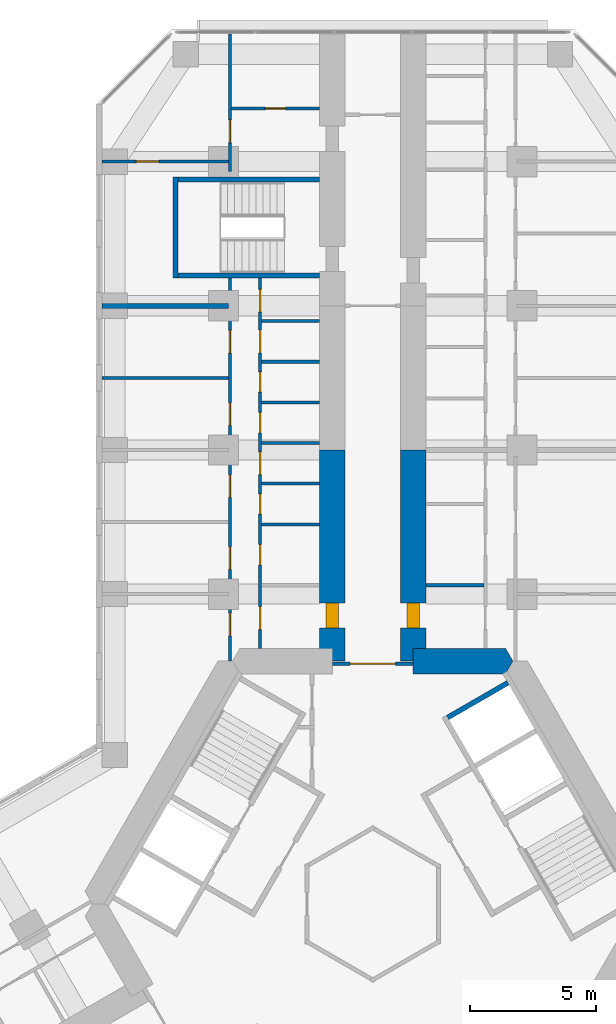
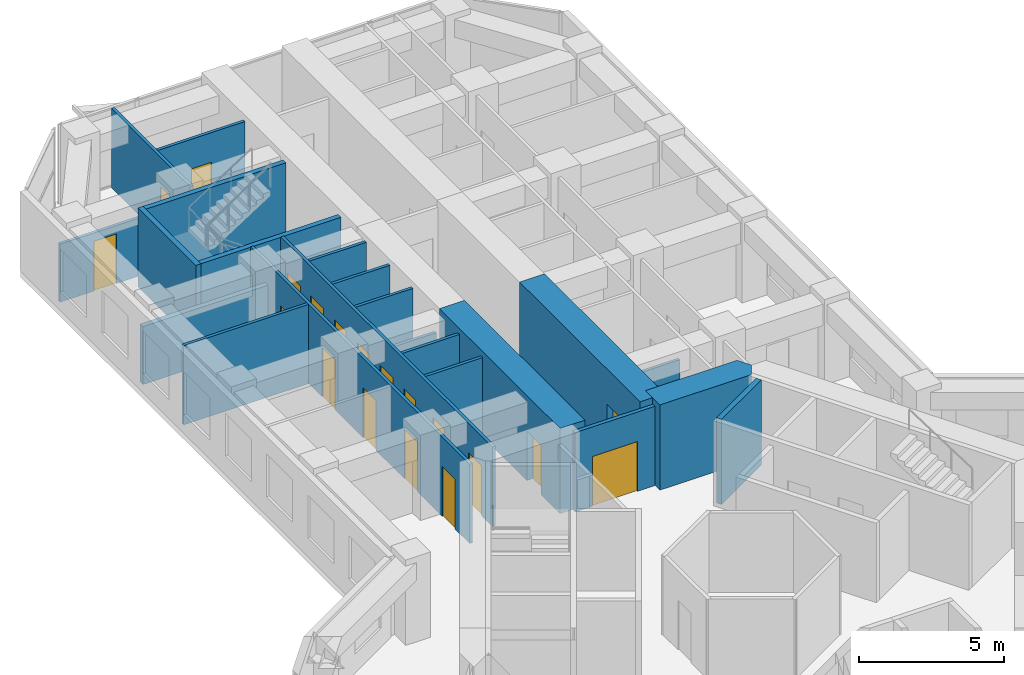
# One storey, part 17 of 21: 22 walls, 19 doors, 19 openings.
"""IFC4 building model written with IfcOpenShell, lengths in metres."""

from ifc_helpers import new_model, si_unit, direction, frame, frame_2d, origin, place, context, subcontext, project, spatial, polyline, rectangle, outline, extrude, material, layer, layer_set, type_object, element, fill, save


model = new_model("IFC4")

# Units and contexts
model_context = context("Model", 3, precision=1e-05, world=origin(), true_north=direction((0.0, 1.0)))
body_context = subcontext(model_context, "Body", "Model", "MODEL_VIEW")
ifc_project = project(units=[si_unit("LENGTHUNIT", "METRE"), si_unit("AREAUNIT", "SQUARE_METRE"), si_unit("VOLUMEUNIT", "CUBIC_METRE"), si_unit("PLANEANGLEUNIT", "RADIAN"), si_unit("MASSUNIT", "GRAM", prefix="KILO")], contexts=[model_context])

# Site, building, storey
site_placement = place(None, origin())
site = spatial("IfcSite", under=ifc_project, at=site_placement, CompositionType="ELEMENT")
building_placement = place(site_placement, origin())
building = spatial("IfcBuilding", under=site, at=building_placement, Name="Kosmar Iwan School Tower", CompositionType="ELEMENT")
storey_placement = place(building_placement, frame((0.0, 0.0, 46.60009765625)))
storey = spatial("IfcBuildingStorey", under=building, at=storey_placement, Name="L10", CompositionType="ELEMENT", Elevation=46.60009765625)

# Wall
ifc_material_1 = material(Name="Concrete C50/60", Category="concrete")
ifc_layer_1 = layer(ifc_material_1, 1.0)
ifc_layer_set_1 = layer_set([ifc_layer_1], Name="Core wall 1000")
wall_type_1 = type_object("IfcWallType", Name="Core wall 1000", PredefinedType="SHEAR", material=ifc_layer_set_1)
wall_1_placement = place(storey_placement, origin())
element("IfcWall", 1, at=wall_1_placement, inside=storey, type_object=wall_type_1, Name="Core wall F090a", PredefinedType="SHEAR", context=body_context, shape_type="SweptSolid", body=[
    extrude(outline(polyline([(1.60009765625, 9.10009765625), (5.25390625, 9.10009765625), (5.54248046875, 9.60009765625), (5.25390625, 10.10009765625), (1.60009765625, 10.10009765625), (1.60009765625, 9.10009765625)])), origin(), (0.0, 0.0, 1.0), 3.599853515625),
])

# Wall, opening, door
ifc_material_2 = material(Name="Concrete C50/60", Category="concrete")
ifc_layer_2 = layer(ifc_material_2, 1.0)
ifc_layer_set_2 = layer_set([ifc_layer_2], Name="Corridor buttress wall 1000")
wall_type_2 = type_object("IfcWallType", Name="Corridor buttress wall 1000", PredefinedType="SHEAR", material=ifc_layer_set_2)
wall_2_placement = place(storey_placement, frame((-1.60009765625, 9.60009765625, 0.0), z_axis=(0.0, 0.0, 1.0), x_axis=(0.0, 1.0, 0.0)))
wall_2 = element("IfcWall", 2, at=wall_2_placement, inside=storey, type_object=wall_type_2, Name="Corridor wall AL", PredefinedType="SHEAR", context=body_context, shape_type="SweptSolid", body=[
    extrude(rectangle(XDim=8.349853515625, YDim=1.0, at=frame_2d((4.1748046875, 0.0))), origin(), (0.0, 0.0, 1.0), 3.599853515625),
])
opening_1_placement = place(wall_2_placement, frame((1.300048828125, 0.0, 0.0)))
opening_1 = element("IfcOpeningElement", 3, at=opening_1_placement, cuts=wall_2, Name="Opening D1", PredefinedType="OPENING", context=body_context, shape_type="SweptSolid", body=[
    extrude(rectangle(XDim=1.0, YDim=2.10009765625, at=frame_2d((0.5, 1.050048828125))), frame((0.0, 0.511962890625, 0.0), z_axis=(0.0, -1.0, 0.0), x_axis=(1.0, 0.0, 0.0)), (0.0, 0.0, 1.0), 1.02392578125),
])
ifc_material_3 = material(Name="Timber fire door in steel frame", Category="steel")
door_type_1 = type_object("IfcDoorType", Name="Flat entrance door 1000x2100", OperationType="SINGLE_SWING_LEFT", PredefinedType="DOOR", material=ifc_material_3)
door_1_placement = place(opening_1_placement, origin())
door_1 = element("IfcDoor", 4, at=door_1_placement, inside=storey, type_object=door_type_1, Name="Flat L10-AL1 entrance door", OperationType="SINGLE_SWING_RIGHT", OverallHeight=2.10009765625, OverallWidth=1.0, PredefinedType="DOOR", context=body_context, shape_type="SweptSolid", body=[
    extrude(rectangle(XDim=1.0, YDim=2.10009765625, at=frame_2d((0.5, 1.050048828125))), frame((0.0, 0.25, 0.0), z_axis=(0.0, -1.0, 0.0), x_axis=(1.0, 0.0, 0.0)), (0.0, 0.0, 1.0), 0.5),
])
fill(opening_1, door_1)

wall_3_placement = place(storey_placement, frame((1.60009765625, 9.60009765625, 0.0), z_axis=(0.0, 0.0, 1.0), x_axis=(0.0, 1.0, 0.0)))
wall_3 = element("IfcWall", 5, at=wall_3_placement, inside=storey, type_object=wall_type_2, Name="Corridor wall AR", PredefinedType="SHEAR", context=body_context, shape_type="SweptSolid", body=[
    extrude(rectangle(XDim=8.349853515625, YDim=1.0, at=frame_2d((4.1748046875, 0.0))), origin(), (0.0, 0.0, 1.0), 3.599853515625),
])
opening_2_placement = place(wall_3_placement, frame((1.300048828125, 0.0, 0.0)))
opening_2 = element("IfcOpeningElement", 6, at=opening_2_placement, cuts=wall_3, Name="Opening D1", PredefinedType="OPENING", context=body_context, shape_type="SweptSolid", body=[
    extrude(rectangle(XDim=1.0, YDim=2.10009765625, at=frame_2d((0.5, 1.050048828125))), frame((0.0, 0.511962890625, 0.0), z_axis=(0.0, -1.0, 0.0), x_axis=(1.0, 0.0, 0.0)), (0.0, 0.0, 1.0), 1.02392578125),
])
door_2_placement = place(opening_2_placement, origin())
door_2 = element("IfcDoor", 7, at=door_2_placement, inside=storey, type_object=door_type_1, Name="Flat L10-AR1 entrance door", OperationType="SINGLE_SWING_LEFT", OverallHeight=2.10009765625, OverallWidth=1.0, PredefinedType="DOOR", context=body_context, shape_type="SweptSolid", body=[
    extrude(rectangle(XDim=1.0, YDim=2.10009765625, at=frame_2d((0.5, 1.050048828125))), frame((0.0, 0.25, 0.0), z_axis=(0.0, -1.0, 0.0), x_axis=(1.0, 0.0, 0.0)), (0.0, 0.0, 1.0), 0.5),
])
fill(opening_2, door_2)

ifc_material_4 = material(Name="Steel framed glazed screen", Category="steel")
ifc_layer_3 = layer(ifc_material_4, 0.14990234375)
ifc_layer_set_3 = layer_set([ifc_layer_3], Name="Corridor screen wall 150")
wall_type_3 = type_object("IfcWallType", Name="Corridor screen wall 150", PredefinedType="PARTITIONING", material=ifc_layer_set_3)
wall_4_placement = place(storey_placement, frame((1.60009765625, 9.5, 0.0), z_axis=(0.0, 0.0, 1.0), x_axis=(-1.0, 0.0, 0.0)))
wall_4 = element("IfcWall", 8, at=wall_4_placement, inside=storey, type_object=wall_type_3, Name="Corridor screen A L10", PredefinedType="PARTITIONING", context=body_context, shape_type="SweptSolid", body=[
    extrude(rectangle(XDim=3.2001953125, YDim=0.14990234375, at=frame_2d((1.60009765625, 0.0))), origin(), (0.0, 0.0, 1.0), 3.349853515625),
])
opening_3_placement = place(wall_4_placement, frame((0.699951171875, 0.0, 0.0)))
opening_3 = element("IfcOpeningElement", 9, at=opening_3_placement, cuts=wall_4, Name="Opening D9", PredefinedType="OPENING", context=body_context, shape_type="SweptSolid", body=[
    extrude(rectangle(XDim=1.800048828125, YDim=2.10009765625, at=frame_2d((0.89990234375, 1.050048828125))), frame((0.0, 0.0869140625, 0.0), z_axis=(0.0, -1.0, 0.0), x_axis=(1.0, 0.0, 0.0)), (0.0, 0.0, 1.0), 0.173828125),
])
ifc_material_5 = material(Name="Steel framed glazed smoke door", Category="steel")
door_type_2 = type_object("IfcDoorType", Name="Corridor smoke door pair 1800x2100", OperationType="DOUBLE_DOOR_DOUBLE_SWING", PredefinedType="DOOR", material=ifc_material_5)
door_3_placement = place(opening_3_placement, origin())
door_3 = element("IfcDoor", 10, at=door_3_placement, inside=storey, type_object=door_type_2, Name="Corridor doors A L10", OperationType="DOUBLE_DOOR_DOUBLE_SWING", OverallHeight=2.10009765625, OverallWidth=1.800048828125, PredefinedType="DOOR", context=body_context, shape_type="SweptSolid", body=[
    extrude(rectangle(XDim=1.800048828125, YDim=2.10009765625, at=frame_2d((0.89990234375, 1.050048828125))), frame((0.0, 0.02490234375, 0.0), z_axis=(0.0, -1.0, 0.0), x_axis=(1.0, 0.0, 0.0)), (0.0, 0.0, 1.0), 0.050048828125),
])
fill(opening_3, door_3)

# Wall, openings, doors
ifc_material_6 = material(Name="Gypsum board on steel studs", Category="steel")
ifc_layer_4 = layer(ifc_material_6, 0.1201171875)
ifc_layer_set_4 = layer_set([ifc_layer_4], Name="Dwelling partition 120")
wall_type_4 = type_object("IfcWallType", Name="Dwelling partition 120", PredefinedType="PARTITIONING", material=ifc_layer_set_4)
wall_5_placement = place(storey_placement, frame((-4.449951171875, 10.10009765625, 0.0), z_axis=(0.0, 0.0, 1.0), x_axis=(0.0, 1.0, 0.0)))
wall_5 = element("IfcWall", 11, at=wall_5_placement, inside=storey, type_object=wall_type_4, Name="Partition L10-AL1-W1", PredefinedType="PARTITIONING", context=body_context, shape_type="SweptSolid", body=[
    extrude(rectangle(XDim=14.64990234375, YDim=0.1201171875, at=frame_2d((7.324951171875, 0.0))), origin(), (0.0, 0.0, 1.0), 3.349853515625),
])
opening_4_placement = place(wall_5_placement, frame((0.75, 0.0, 0.0)))
opening_4 = element("IfcOpeningElement", 12, at=opening_4_placement, cuts=wall_5, Name="Opening D2", PredefinedType="OPENING", context=body_context, shape_type="SweptSolid", body=[
    extrude(rectangle(XDim=0.89990234375, YDim=2.10009765625, at=frame_2d((0.449951171875, 1.050048828125))), frame((0.0, 0.072021484375, 0.0), z_axis=(0.0, -1.0, 0.0), x_axis=(1.0, 0.0, 0.0)), (0.0, 0.0, 1.0), 0.14404296875),
])
opening_5_placement = place(wall_5_placement, frame((3.304931640625, 0.0, 0.0)))
opening_5 = element("IfcOpeningElement", 13, at=opening_5_placement, cuts=wall_5, Name="Opening D3", PredefinedType="OPENING", context=body_context, shape_type="SweptSolid", body=[
    extrude(rectangle(XDim=0.800048828125, YDim=2.10009765625, at=frame_2d((0.39990234375, 1.050048828125))), frame((0.0, 0.072021484375, 0.0), z_axis=(0.0, -1.0, 0.0), x_axis=(1.0, 0.0, 0.0)), (0.0, 0.0, 1.0), 0.14404296875),
])
opening_6_placement = place(wall_5_placement, frame((5.313232421875, 0.0, 0.0)))
opening_6 = element("IfcOpeningElement", 14, at=opening_6_placement, cuts=wall_5, Name="Opening D3", PredefinedType="OPENING", context=body_context, shape_type="SweptSolid", body=[
    extrude(rectangle(XDim=0.800048828125, YDim=2.10009765625, at=frame_2d((0.39990234375, 1.050048828125))), frame((0.0, 0.072021484375, 0.0), z_axis=(0.0, -1.0, 0.0), x_axis=(1.0, 0.0, 0.0)), (0.0, 0.0, 1.0), 0.14404296875),
])
opening_7_placement = place(wall_5_placement, frame((6.8701171875, 0.0, 0.0)))
opening_7 = element("IfcOpeningElement", 15, at=opening_7_placement, cuts=wall_5, Name="Opening D2", PredefinedType="OPENING", context=body_context, shape_type="SweptSolid", body=[
    extrude(rectangle(XDim=0.89990234375, YDim=2.10009765625, at=frame_2d((0.449951171875, 1.050048828125))), frame((0.0, 0.072021484375, 0.0), z_axis=(0.0, -1.0, 0.0), x_axis=(1.0, 0.0, 0.0)), (0.0, 0.0, 1.0), 0.14404296875),
])
opening_8_placement = place(wall_5_placement, frame((8.526611328125, 0.0, 0.0)))
opening_8 = element("IfcOpeningElement", 16, at=opening_8_placement, cuts=wall_5, Name="Opening D3", PredefinedType="OPENING", context=body_context, shape_type="SweptSolid", body=[
    extrude(rectangle(XDim=0.800048828125, YDim=2.10009765625, at=frame_2d((0.39990234375, 1.050048828125))), frame((0.0, 0.072021484375, 0.0), z_axis=(0.0, -1.0, 0.0), x_axis=(1.0, 0.0, 0.0)), (0.0, 0.0, 1.0), 0.14404296875),
])
opening_9_placement = place(wall_5_placement, frame((10.13330078125, 0.0, 0.0)))
opening_9 = element("IfcOpeningElement", 17, at=opening_9_placement, cuts=wall_5, Name="Opening D3", PredefinedType="OPENING", context=body_context, shape_type="SweptSolid", body=[
    extrude(rectangle(XDim=0.800048828125, YDim=2.10009765625, at=frame_2d((0.39990234375, 1.050048828125))), frame((0.0, 0.072021484375, 0.0), z_axis=(0.0, -1.0, 0.0), x_axis=(1.0, 0.0, 0.0)), (0.0, 0.0, 1.0), 0.14404296875),
])
opening_10_placement = place(wall_5_placement, frame((11.68994140625, 0.0, 0.0)))
opening_10 = element("IfcOpeningElement", 18, at=opening_10_placement, cuts=wall_5, Name="Opening D2", PredefinedType="OPENING", context=body_context, shape_type="SweptSolid", body=[
    extrude(rectangle(XDim=0.89990234375, YDim=2.10009765625, at=frame_2d((0.449951171875, 1.050048828125))), frame((0.0, 0.072021484375, 0.0), z_axis=(0.0, -1.0, 0.0), x_axis=(1.0, 0.0, 0.0)), (0.0, 0.0, 1.0), 0.14404296875),
])
opening_11_placement = place(wall_5_placement, frame((13.296630859375, 0.0, 0.0)))
opening_11 = element("IfcOpeningElement", 19, at=opening_11_placement, cuts=wall_5, Name="Opening D2", PredefinedType="OPENING", context=body_context, shape_type="SweptSolid", body=[
    extrude(rectangle(XDim=0.89990234375, YDim=2.10009765625, at=frame_2d((0.449951171875, 1.050048828125))), frame((0.0, 0.072021484375, 0.0), z_axis=(0.0, -1.0, 0.0), x_axis=(1.0, 0.0, 0.0)), (0.0, 0.0, 1.0), 0.14404296875),
])
ifc_material_7 = material(Name="Timber door in timber frame", Category="wood")
door_type_3 = type_object("IfcDoorType", Name="Internal door 900x2100", OperationType="SINGLE_SWING_LEFT", PredefinedType="DOOR", material=ifc_material_7)
door_4_placement = place(opening_4_placement, origin())
door_4 = element("IfcDoor", 20, at=door_4_placement, inside=storey, type_object=door_type_3, Name="Entrance hall door L10-AL1-S1", OperationType="SINGLE_SWING_LEFT", OverallHeight=2.10009765625, OverallWidth=0.89990234375, PredefinedType="DOOR", context=body_context, shape_type="SweptSolid", body=[
    extrude(rectangle(XDim=0.89990234375, YDim=2.10009765625, at=frame_2d((0.449951171875, 1.050048828125))), frame((0.0, 0.02490234375, 0.0), z_axis=(0.0, -1.0, 0.0), x_axis=(1.0, 0.0, 0.0)), (0.0, 0.0, 1.0), 0.050048828125),
])
fill(opening_4, door_4)
door_5_placement = place(opening_7_placement, origin())
door_5 = element("IfcDoor", 21, at=door_5_placement, inside=storey, type_object=door_type_3, Name="Pantry door L10-AL1-S4", OperationType="SINGLE_SWING_LEFT", OverallHeight=2.10009765625, OverallWidth=0.89990234375, PredefinedType="DOOR", context=body_context, shape_type="SweptSolid", body=[
    extrude(rectangle(XDim=0.89990234375, YDim=2.10009765625, at=frame_2d((0.449951171875, 1.050048828125))), frame((0.0, 0.02490234375, 0.0), z_axis=(0.0, -1.0, 0.0), x_axis=(1.0, 0.0, 0.0)), (0.0, 0.0, 1.0), 0.050048828125),
])
fill(opening_7, door_5)
door_6_placement = place(opening_10_placement, origin())
door_6 = element("IfcDoor", 22, at=door_6_placement, inside=storey, type_object=door_type_3, Name="Utility room door L10-AL1-S7", OperationType="SINGLE_SWING_RIGHT", OverallHeight=2.10009765625, OverallWidth=0.89990234375, PredefinedType="DOOR", context=body_context, shape_type="SweptSolid", body=[
    extrude(rectangle(XDim=0.89990234375, YDim=2.10009765625, at=frame_2d((0.449951171875, 1.050048828125))), frame((0.0, 0.02490234375, 0.0), z_axis=(0.0, -1.0, 0.0), x_axis=(1.0, 0.0, 0.0)), (0.0, 0.0, 1.0), 0.050048828125),
])
fill(opening_10, door_6)
door_7_placement = place(opening_11_placement, frame((0.89990234375, 0.0, 0.0), z_axis=(0.0, 0.0, 1.0), x_axis=(-1.0, 0.0, 0.0)))
door_7 = element("IfcDoor", 23, at=door_7_placement, inside=storey, type_object=door_type_3, Name="Dressing room door L10-AL1-S8", OperationType="SINGLE_SWING_LEFT", OverallHeight=2.10009765625, OverallWidth=0.89990234375, PredefinedType="DOOR", context=body_context, shape_type="SweptSolid", body=[
    extrude(rectangle(XDim=0.89990234375, YDim=2.10009765625, at=frame_2d((0.449951171875, 1.050048828125))), frame((0.0, 0.02490234375, 0.0), z_axis=(0.0, -1.0, 0.0), x_axis=(1.0, 0.0, 0.0)), (0.0, 0.0, 1.0), 0.050048828125),
])
fill(opening_11, door_7)
ifc_material_8 = material(Name="Timber door in timber frame", Category="wood")
door_type_4 = type_object("IfcDoorType", Name="Sanitary room door 800x2100", OperationType="SINGLE_SWING_LEFT", PredefinedType="DOOR", material=ifc_material_8)
door_8_placement = place(opening_5_placement, origin())
door_8 = element("IfcDoor", 24, at=door_8_placement, inside=storey, type_object=door_type_4, Name="Bathroom door L10-AL1-S2", OperationType="SINGLE_SWING_LEFT", OverallHeight=2.10009765625, OverallWidth=0.800048828125, PredefinedType="DOOR", context=body_context, shape_type="SweptSolid", body=[
    extrude(rectangle(XDim=0.800048828125, YDim=2.10009765625, at=frame_2d((0.39990234375, 1.050048828125))), frame((0.0, 0.02490234375, 0.0), z_axis=(0.0, -1.0, 0.0), x_axis=(1.0, 0.0, 0.0)), (0.0, 0.0, 1.0), 0.050048828125),
])
fill(opening_5, door_8)
door_9_placement = place(opening_6_placement, origin())
door_9 = element("IfcDoor", 25, at=door_9_placement, inside=storey, type_object=door_type_4, Name="Shower room door L10-AL1-S3", OperationType="SINGLE_SWING_LEFT", OverallHeight=2.10009765625, OverallWidth=0.800048828125, PredefinedType="DOOR", context=body_context, shape_type="SweptSolid", body=[
    extrude(rectangle(XDim=0.800048828125, YDim=2.10009765625, at=frame_2d((0.39990234375, 1.050048828125))), frame((0.0, 0.02490234375, 0.0), z_axis=(0.0, -1.0, 0.0), x_axis=(1.0, 0.0, 0.0)), (0.0, 0.0, 1.0), 0.050048828125),
])
fill(opening_6, door_9)
door_10_placement = place(opening_8_placement, origin())
door_10 = element("IfcDoor", 26, at=door_10_placement, inside=storey, type_object=door_type_4, Name="WC door L10-AL1-S5", OperationType="SINGLE_SWING_RIGHT", OverallHeight=2.10009765625, OverallWidth=0.800048828125, PredefinedType="DOOR", context=body_context, shape_type="SweptSolid", body=[
    extrude(rectangle(XDim=0.800048828125, YDim=2.10009765625, at=frame_2d((0.39990234375, 1.050048828125))), frame((0.0, 0.02490234375, 0.0), z_axis=(0.0, -1.0, 0.0), x_axis=(1.0, 0.0, 0.0)), (0.0, 0.0, 1.0), 0.050048828125),
])
fill(opening_8, door_10)
door_11_placement = place(opening_9_placement, origin())
door_11 = element("IfcDoor", 27, at=door_11_placement, inside=storey, type_object=door_type_4, Name="Store door L10-AL1-S6", OperationType="SINGLE_SWING_RIGHT", OverallHeight=2.10009765625, OverallWidth=0.800048828125, PredefinedType="DOOR", context=body_context, shape_type="SweptSolid", body=[
    extrude(rectangle(XDim=0.800048828125, YDim=2.10009765625, at=frame_2d((0.39990234375, 1.050048828125))), frame((0.0, 0.02490234375, 0.0), z_axis=(0.0, -1.0, 0.0), x_axis=(1.0, 0.0, 0.0)), (0.0, 0.0, 1.0), 0.050048828125),
])
fill(opening_9, door_11)

wall_6_placement = place(storey_placement, frame((-5.64990234375, 9.60009765625, 0.0), z_axis=(0.0, 0.0, 1.0), x_axis=(0.0, 1.0, 0.0)))
wall_6 = element("IfcWall", 28, at=wall_6_placement, inside=storey, type_object=wall_type_4, Name="Partition L10-AL1-W2", PredefinedType="PARTITIONING", context=body_context, shape_type="SweptSolid", body=[
    extrude(rectangle(XDim=15.14990234375, YDim=0.1201171875, at=frame_2d((7.574951171875, 0.0))), origin(), (0.0, 0.0, 1.0), 3.349853515625),
])
opening_12_placement = place(wall_6_placement, frame((1.0, 0.0, 0.0)))
opening_12 = element("IfcOpeningElement", 29, at=opening_12_placement, cuts=wall_6, Name="Opening D2", PredefinedType="OPENING", context=body_context, shape_type="SweptSolid", body=[
    extrude(rectangle(XDim=0.89990234375, YDim=2.10009765625, at=frame_2d((0.449951171875, 1.050048828125))), frame((0.0, 0.072021484375, 0.0), z_axis=(0.0, -1.0, 0.0), x_axis=(1.0, 0.0, 0.0)), (0.0, 0.0, 1.0), 0.14404296875),
])
opening_13_placement = place(wall_6_placement, frame((3.625, 0.0, 0.0)))
opening_13 = element("IfcOpeningElement", 30, at=opening_13_placement, cuts=wall_6, Name="Opening D2", PredefinedType="OPENING", context=body_context, shape_type="SweptSolid", body=[
    extrude(rectangle(XDim=0.89990234375, YDim=2.10009765625, at=frame_2d((0.449951171875, 1.050048828125))), frame((0.0, 0.072021484375, 0.0), z_axis=(0.0, -1.0, 0.0), x_axis=(1.0, 0.0, 0.0)), (0.0, 0.0, 1.0), 0.14404296875),
])
opening_14_placement = place(wall_6_placement, frame((6.47509765625, 0.0, 0.0)))
opening_14 = element("IfcOpeningElement", 31, at=opening_14_placement, cuts=wall_6, Name="Opening D2", PredefinedType="OPENING", context=body_context, shape_type="SweptSolid", body=[
    extrude(rectangle(XDim=0.89990234375, YDim=2.10009765625, at=frame_2d((0.449951171875, 1.050048828125))), frame((0.0, 0.072021484375, 0.0), z_axis=(0.0, -1.0, 0.0), x_axis=(1.0, 0.0, 0.0)), (0.0, 0.0, 1.0), 0.14404296875),
])
opening_15_placement = place(wall_6_placement, frame((9.324951171875, 0.0, 0.0)))
opening_15 = element("IfcOpeningElement", 32, at=opening_15_placement, cuts=wall_6, Name="Opening D2", PredefinedType="OPENING", context=body_context, shape_type="SweptSolid", body=[
    extrude(rectangle(XDim=0.89990234375, YDim=2.10009765625, at=frame_2d((0.449951171875, 1.050048828125))), frame((0.0, 0.072021484375, 0.0), z_axis=(0.0, -1.0, 0.0), x_axis=(1.0, 0.0, 0.0)), (0.0, 0.0, 1.0), 0.14404296875),
])
opening_16_placement = place(wall_6_placement, frame((12.175048828125, 0.0, 0.0)))
opening_16 = element("IfcOpeningElement", 33, at=opening_16_placement, cuts=wall_6, Name="Opening D2", PredefinedType="OPENING", context=body_context, shape_type="SweptSolid", body=[
    extrude(rectangle(XDim=0.89990234375, YDim=2.10009765625, at=frame_2d((0.449951171875, 1.050048828125))), frame((0.0, 0.072021484375, 0.0), z_axis=(0.0, -1.0, 0.0), x_axis=(1.0, 0.0, 0.0)), (0.0, 0.0, 1.0), 0.14404296875),
])
door_12_placement = place(opening_12_placement, origin())
door_12 = element("IfcDoor", 34, at=door_12_placement, inside=storey, type_object=door_type_3, Name="Living room and kitchen door L10-AL1-F1", OperationType="SINGLE_SWING_LEFT", OverallHeight=2.10009765625, OverallWidth=0.89990234375, PredefinedType="DOOR", context=body_context, shape_type="SweptSolid", body=[
    extrude(rectangle(XDim=0.89990234375, YDim=2.10009765625, at=frame_2d((0.449951171875, 1.050048828125))), frame((0.0, 0.02490234375, 0.0), z_axis=(0.0, -1.0, 0.0), x_axis=(1.0, 0.0, 0.0)), (0.0, 0.0, 1.0), 0.050048828125),
])
fill(opening_12, door_12)
door_13_placement = place(opening_13_placement, origin())
door_13 = element("IfcDoor", 35, at=door_13_placement, inside=storey, type_object=door_type_3, Name="Study door L10-AL1-F2", OperationType="SINGLE_SWING_RIGHT", OverallHeight=2.10009765625, OverallWidth=0.89990234375, PredefinedType="DOOR", context=body_context, shape_type="SweptSolid", body=[
    extrude(rectangle(XDim=0.89990234375, YDim=2.10009765625, at=frame_2d((0.449951171875, 1.050048828125))), frame((0.0, 0.02490234375, 0.0), z_axis=(0.0, -1.0, 0.0), x_axis=(1.0, 0.0, 0.0)), (0.0, 0.0, 1.0), 0.050048828125),
])
fill(opening_13, door_13)
door_14_placement = place(opening_14_placement, origin())
door_14 = element("IfcDoor", 36, at=door_14_placement, inside=storey, type_object=door_type_3, Name="Bedroom 2 door L10-AL1-F3", OperationType="SINGLE_SWING_LEFT", OverallHeight=2.10009765625, OverallWidth=0.89990234375, PredefinedType="DOOR", context=body_context, shape_type="SweptSolid", body=[
    extrude(rectangle(XDim=0.89990234375, YDim=2.10009765625, at=frame_2d((0.449951171875, 1.050048828125))), frame((0.0, 0.02490234375, 0.0), z_axis=(0.0, -1.0, 0.0), x_axis=(1.0, 0.0, 0.0)), (0.0, 0.0, 1.0), 0.050048828125),
])
fill(opening_14, door_14)
door_15_placement = place(opening_15_placement, origin())
door_15 = element("IfcDoor", 37, at=door_15_placement, inside=storey, type_object=door_type_3, Name="Study door L10-AL1-F4", OperationType="SINGLE_SWING_RIGHT", OverallHeight=2.10009765625, OverallWidth=0.89990234375, PredefinedType="DOOR", context=body_context, shape_type="SweptSolid", body=[
    extrude(rectangle(XDim=0.89990234375, YDim=2.10009765625, at=frame_2d((0.449951171875, 1.050048828125))), frame((0.0, 0.02490234375, 0.0), z_axis=(0.0, -1.0, 0.0), x_axis=(1.0, 0.0, 0.0)), (0.0, 0.0, 1.0), 0.050048828125),
])
fill(opening_15, door_15)
door_16_placement = place(opening_16_placement, origin())
door_16 = element("IfcDoor", 38, at=door_16_placement, inside=storey, type_object=door_type_3, Name="Bedroom 1 door L10-AL1-F5", OperationType="SINGLE_SWING_LEFT", OverallHeight=2.10009765625, OverallWidth=0.89990234375, PredefinedType="DOOR", context=body_context, shape_type="SweptSolid", body=[
    extrude(rectangle(XDim=0.89990234375, YDim=2.10009765625, at=frame_2d((0.449951171875, 1.050048828125))), frame((0.0, 0.02490234375, 0.0), z_axis=(0.0, -1.0, 0.0), x_axis=(1.0, 0.0, 0.0)), (0.0, 0.0, 1.0), 0.050048828125),
])
fill(opening_16, door_16)

# Walls
wall_7_placement = place(storey_placement, frame((-5.7099609375, 20.800048828125, 0.0), z_axis=(0.0, 0.0, 1.0), x_axis=(-1.0, 0.0, 0.0)))
element("IfcWall", 39, at=wall_7_placement, inside=storey, type_object=wall_type_4, Name="Partition L10-AL1-X4", PredefinedType="PARTITIONING", context=body_context, shape_type="SweptSolid", body=[
    extrude(rectangle(XDim=4.989990234375, YDim=0.1201171875, at=frame_2d((2.4951171875, 0.0))), origin(), (0.0, 0.0, 1.0), 3.349853515625),
])
for number, where, z_axis, x_axis, name in (
    (40, (-2.10009765625, 15.010009765625, 0.0), (0.0, 0.0, 1.0), (-1.0, 0.0, 0.0), "Partition L10-AL1-Y2"),
    (41, (-2.10009765625, 16.61669921875, 0.0), (0.0, 0.0, 1.0), (-1.0, 0.0, 0.0), "Partition L10-AL1-Y3"),
):
    element("IfcWall", number, at=place(storey_placement, frame(where, z_axis=z_axis, x_axis=x_axis)), inside=storey, type_object=wall_type_4, Name=name, PredefinedType="PARTITIONING", context=body_context, shape_type="SweptSolid", body=[
        extrude(rectangle(XDim=2.289794921875, YDim=0.1201171875, at=frame_2d((1.14501953125, 0.0))), origin(), (0.0, 0.0, 1.0), 3.349853515625),
    ])
wall_8_placement = place(storey_placement, frame((-2.10009765625, 18.223388671875, 0.0), z_axis=(0.0, 0.0, 1.0), x_axis=(-1.0, 0.0, 0.0)))
element("IfcWall", 42, at=wall_8_placement, inside=storey, type_object=wall_type_4, Name="Partition L10-AL1-Y4", PredefinedType="PARTITIONING", context=body_context, shape_type="SweptSolid", body=[
    extrude(rectangle(XDim=2.289794921875, YDim=0.1201171875, at=frame_2d((1.14501953125, 0.0))), origin(), (0.0, 0.0, 1.0), 2.449951171875),
])
for number, where, z_axis, x_axis, name in (
    (43, (-2.10009765625, 19.830078125, 0.0), (0.0, 0.0, 1.0), (-1.0, 0.0, 0.0), "Partition L10-AL1-Y5"),
    (44, (-2.10009765625, 21.436767578125, 0.0), (0.0, 0.0, 1.0), (-1.0, 0.0, 0.0), "Partition L10-AL1-Y6"),
    (45, (-2.10009765625, 23.043212890625, 0.0), (0.0, 0.0, 1.0), (-1.0, 0.0, 0.0), "Partition L10-AL1-Y7"),
):
    element("IfcWall", number, at=place(storey_placement, frame(where, z_axis=z_axis, x_axis=x_axis)), inside=storey, type_object=wall_type_4, Name=name, PredefinedType="PARTITIONING", context=body_context, shape_type="SweptSolid", body=[
        extrude(rectangle(XDim=2.289794921875, YDim=0.1201171875, at=frame_2d((1.14501953125, 0.0))), origin(), (0.0, 0.0, 1.0), 3.349853515625),
    ])

# Wall, opening, door
wall_9_placement = place(storey_placement, frame((-5.7099609375, 29.35009765625, 0.0), z_axis=(0.0, 0.0, 1.0), x_axis=(-1.0, 0.0, 0.0)))
wall_9 = element("IfcWall", 46, at=wall_9_placement, inside=storey, type_object=wall_type_4, Name="Partition L10-AL2-TX", PredefinedType="PARTITIONING", context=body_context, shape_type="SweptSolid", body=[
    extrude(rectangle(XDim=4.989990234375, YDim=0.1201171875, at=frame_2d((2.4951171875, 0.0))), origin(), (0.0, 0.0, 1.0), 2.449951171875),
])
opening_17_placement = place(wall_9_placement, frame((2.739990234375, 0.0, 0.0)))
opening_17 = element("IfcOpeningElement", 47, at=opening_17_placement, cuts=wall_9, Name="Opening D2", PredefinedType="OPENING", context=body_context, shape_type="SweptSolid", body=[
    extrude(rectangle(XDim=0.89990234375, YDim=2.10009765625, at=frame_2d((0.449951171875, 1.050048828125))), frame((0.0, 0.072021484375, 0.0), z_axis=(0.0, -1.0, 0.0), x_axis=(1.0, 0.0, 0.0)), (0.0, 0.0, 1.0), 0.14404296875),
])
door_17_placement = place(opening_17_placement, origin())
door_17 = element("IfcDoor", 48, at=door_17_placement, inside=storey, type_object=door_type_3, Name="Bedroom 1 door L10-AL2-T1", OperationType="SINGLE_SWING_RIGHT", OverallHeight=2.10009765625, OverallWidth=0.89990234375, PredefinedType="DOOR", context=body_context, shape_type="SweptSolid", body=[
    extrude(rectangle(XDim=0.89990234375, YDim=2.10009765625, at=frame_2d((0.449951171875, 1.050048828125))), frame((0.0, 0.02490234375, 0.0), z_axis=(0.0, -1.0, 0.0), x_axis=(1.0, 0.0, 0.0)), (0.0, 0.0, 1.0), 0.050048828125),
])
fill(opening_17, door_17)

wall_10_placement = place(storey_placement, frame((-5.64990234375, 28.949951171875, 0.0), z_axis=(0.0, 0.0, 1.0), x_axis=(0.0, 1.0, 0.0)))
wall_10 = element("IfcWall", 49, at=wall_10_placement, inside=storey, type_object=wall_type_4, Name="Partition L10-AL2-TW", PredefinedType="PARTITIONING", context=body_context, shape_type="SweptSolid", body=[
    extrude(rectangle(XDim=5.445068359375, YDim=0.1201171875, at=frame_2d((2.72265625, 0.0))), origin(), (0.0, 0.0, 1.0), 3.349853515625),
])
opening_18_placement = place(wall_10_placement, frame((1.14990234375, 0.0, 0.0)))
opening_18 = element("IfcOpeningElement", 50, at=opening_18_placement, cuts=wall_10, Name="Opening D2", PredefinedType="OPENING", context=body_context, shape_type="SweptSolid", body=[
    extrude(rectangle(XDim=0.89990234375, YDim=2.10009765625, at=frame_2d((0.449951171875, 1.050048828125))), frame((0.0, 0.072021484375, 0.0), z_axis=(0.0, -1.0, 0.0), x_axis=(1.0, 0.0, 0.0)), (0.0, 0.0, 1.0), 0.14404296875),
])
door_18_placement = place(opening_18_placement, origin())
door_18 = element("IfcDoor", 51, at=door_18_placement, inside=storey, type_object=door_type_3, Name="Entrance hall door L10-AL2-T3", OperationType="SINGLE_SWING_LEFT", OverallHeight=2.10009765625, OverallWidth=0.89990234375, PredefinedType="DOOR", context=body_context, shape_type="SweptSolid", body=[
    extrude(rectangle(XDim=0.89990234375, YDim=2.10009765625, at=frame_2d((0.449951171875, 1.050048828125))), frame((0.0, 0.02490234375, 0.0), z_axis=(0.0, -1.0, 0.0), x_axis=(1.0, 0.0, 0.0)), (0.0, 0.0, 1.0), 0.050048828125),
])
fill(opening_18, door_18)

wall_11_placement = place(storey_placement, frame((-2.10009765625, 31.449951171875, 0.0), z_axis=(0.0, 0.0, 1.0), x_axis=(-1.0, 0.0, 0.0)))
wall_11 = element("IfcWall", 52, at=wall_11_placement, inside=storey, type_object=wall_type_4, Name="Partition L10-AL2-TY", PredefinedType="PARTITIONING", context=body_context, shape_type="SweptSolid", body=[
    extrude(rectangle(XDim=3.489990234375, YDim=0.1201171875, at=frame_2d((1.7451171875, 0.0))), origin(), (0.0, 0.0, 1.0), 3.349853515625),
])
opening_19_placement = place(wall_11_placement, frame((1.344970703125, 0.0, 0.0)))
opening_19 = element("IfcOpeningElement", 53, at=opening_19_placement, cuts=wall_11, Name="Opening D3", PredefinedType="OPENING", context=body_context, shape_type="SweptSolid", body=[
    extrude(rectangle(XDim=0.800048828125, YDim=2.10009765625, at=frame_2d((0.39990234375, 1.050048828125))), frame((0.0, 0.072021484375, 0.0), z_axis=(0.0, -1.0, 0.0), x_axis=(1.0, 0.0, 0.0)), (0.0, 0.0, 1.0), 0.14404296875),
])
door_19_placement = place(opening_19_placement, origin())
door_19 = element("IfcDoor", 54, at=door_19_placement, inside=storey, type_object=door_type_4, Name="Bathroom door L10-AL2-T4", OperationType="SINGLE_SWING_RIGHT", OverallHeight=2.10009765625, OverallWidth=0.800048828125, PredefinedType="DOOR", context=body_context, shape_type="SweptSolid", body=[
    extrude(rectangle(XDim=0.800048828125, YDim=2.10009765625, at=frame_2d((0.39990234375, 1.050048828125))), frame((0.0, 0.02490234375, 0.0), z_axis=(0.0, -1.0, 0.0), x_axis=(1.0, 0.0, 0.0)), (0.0, 0.0, 1.0), 0.050048828125),
])
fill(opening_19, door_19)

# Walls
wall_12_placement = place(storey_placement, frame((2.10009765625, 12.60009765625, 0.0), z_axis=(0.0, 0.0, 1.0), x_axis=(1.0, 0.0, 0.0)))
element("IfcWall", 55, at=wall_12_placement, inside=storey, type_object=wall_type_4, Name="Partition L10-AR1-Y1", PredefinedType="PARTITIONING", context=body_context, shape_type="SweptSolid", body=[
    extrude(rectangle(XDim=2.289794921875, YDim=0.1201171875, at=frame_2d((1.14501953125, 0.0))), origin(), (0.0, 0.0, 1.0), 2.449951171875),
])
ifc_material_9 = material(Name="Concrete C35/45", Category="concrete")
ifc_layer_5 = layer(ifc_material_9, 0.199951171875)
ifc_layer_set_5 = layer_set([ifc_layer_5], Name="Escape stair wall 200")
wall_type_5 = type_object("IfcWallType", Name="Escape stair wall 200", PredefinedType="SHEAR", material=ifc_layer_set_5)
for number, where, z_axis, x_axis, name in (
    (56, (-2.10009765625, 24.85009765625, 0.0), (0.0, 0.0, 1.0), (-1.0, 0.0, 0.0), "Stair WS1 wall"),
    (57, (-2.10009765625, 28.64990234375, 0.0), (0.0, 0.0, 1.0), (-1.0, 0.0, 0.0), "Stair WS1 wall"),
):
    element("IfcWall", number, at=place(storey_placement, frame(where, z_axis=z_axis, x_axis=x_axis)), inside=storey, type_object=wall_type_5, Name=name, PredefinedType="SHEAR", context=body_context, shape_type="SweptSolid", body=[
        extrude(rectangle(XDim=5.7998046875, YDim=0.199951171875, at=frame_2d((2.89990234375, 0.0))), origin(), (0.0, 0.0, 1.0), 3.329833984375),
    ])
wall_13_placement = place(storey_placement, frame((-7.800048828125, 24.75, 0.0), z_axis=(0.0, 0.0, 1.0), x_axis=(0.0, 1.0, 0.0)))
element("IfcWall", 58, at=wall_13_placement, inside=storey, type_object=wall_type_5, Name="Stair WS1 wall", PredefinedType="SHEAR", context=body_context, shape_type="SweptSolid", body=[
    extrude(rectangle(XDim=4.0, YDim=0.199951171875, at=frame_2d((2.0, 0.0))), origin(), (0.0, 0.0, 1.0), 3.329833984375),
])
ifc_material_10 = material(Name="Concrete C50/60", Category="concrete")
ifc_layer_6 = layer(ifc_material_10, 0.199951171875)
ifc_layer_set_6 = layer_set([ifc_layer_6], Name="Lift shaft wall 200")
wall_type_6 = type_object("IfcWallType", Name="Lift shaft wall 200", PredefinedType="SHEAR", material=ifc_layer_set_6)
wall_14_placement = place(storey_placement, frame((2.962646484375, 7.368408203125, 0.0), z_axis=(0.0, 0.0, 1.0), x_axis=(0.866027397988, 0.499996545922, 0.0)))
element("IfcWall", 59, at=wall_14_placement, inside=storey, type_object=wall_type_6, Name="Lift shaft wall AC 2", PredefinedType="SHEAR", context=body_context, shape_type="SweptSolid", body=[
    extrude(rectangle(XDim=2.75, YDim=0.199951171875, at=frame_2d((1.375, 0.0))), origin(), (0.0, 0.0, 1.0), 3.599853515625),
])
ifc_material_11 = material(Name="Concrete block masonry", Category="masonry")
ifc_layer_7 = layer(ifc_material_11, 0.199951171875)
ifc_layer_set_7 = layer_set([ifc_layer_7], Name="Party wall 200")
wall_type_7 = type_object("IfcWallType", Name="Party wall 200", PredefinedType="PARTITIONING", material=ifc_layer_set_7)
wall_15_placement = place(storey_placement, frame((-5.7099609375, 23.64990234375, 0.0), z_axis=(0.0, 0.0, 1.0), x_axis=(-1.0, 0.0, 0.0)))
element("IfcWall", 60, at=wall_15_placement, inside=storey, type_object=wall_type_7, Name="Partition L10-AL2-TB", PredefinedType="PARTITIONING", context=body_context, shape_type="SweptSolid", body=[
    extrude(rectangle(XDim=4.989990234375, YDim=0.199951171875, at=frame_2d((2.4951171875, 0.0))), origin(), (0.0, 0.0, 1.0), 2.449951171875),
])

save(model, "model.ifc")
